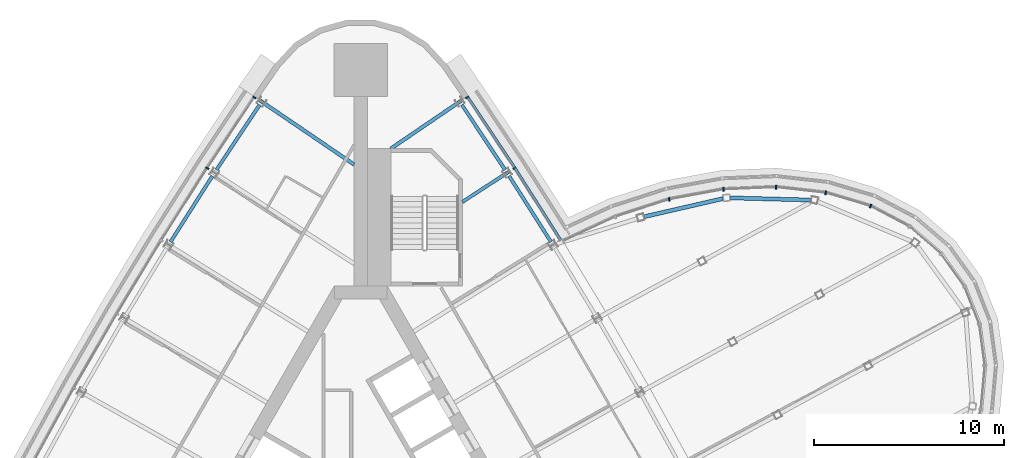
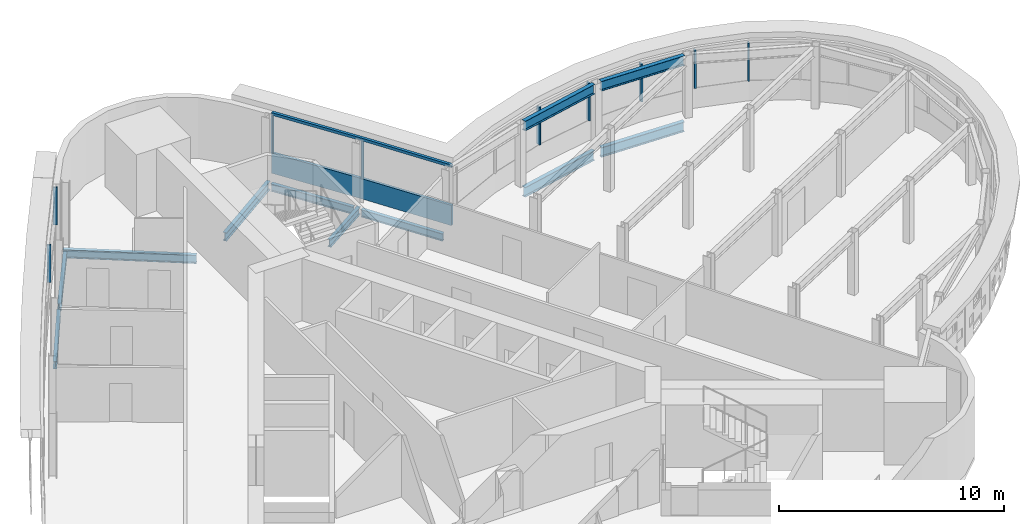
# One storey, part 8 of 15: 11 beams, 11 members, 3 elements without a shape of their own.
"""IFC4 building model written with IfcOpenShell, lengths in metres."""

from ifc_helpers import new_model, si_unit, direction, frame, origin, origin_2d, place, context, subcontext, project, spatial, polyline, rectangle, i_section, outline, extrude, material, material_profile, profile_set, type_object, element, aggregate, save


model = new_model("IFC4")

# Units and contexts
model_context = context("Model", 3, precision=1e-05, world=origin(), true_north=direction((0.0, 1.0)))
body_context = subcontext(model_context, "Body", "Model", "MODEL_VIEW")
ifc_project = project(units=[si_unit("LENGTHUNIT", "METRE"), si_unit("AREAUNIT", "SQUARE_METRE"), si_unit("VOLUMEUNIT", "CUBIC_METRE"), si_unit("PLANEANGLEUNIT", "RADIAN"), si_unit("MASSUNIT", "GRAM", prefix="KILO")], contexts=[model_context])

# Site, building, storey
site_placement = place(None, origin())
site = spatial("IfcSite", under=ifc_project, at=site_placement, CompositionType="ELEMENT")
building_placement = place(site_placement, origin())
building = spatial("IfcBuilding", under=site, at=building_placement, Name="Noor Cloister Tower", CompositionType="ELEMENT")
storey_placement = place(building_placement, frame((0.0, 0.0, 181.5)))
storey = spatial("IfcBuildingStorey", under=building, at=storey_placement, Name="L46", CompositionType="ELEMENT", Elevation=181.5)

# Curtain wall, member
ifc_material_1 = material(Name="Aluminium 6063-T6 anodised", Category="aluminium")
curtain_wall_type_1 = type_object("IfcCurtainWallType", Name="Ribbon curtain wall, upper tower CW5", PredefinedType="NOTDEFINED", material=ifc_material_1)
curtain_wall_1_placement = place(storey_placement, origin())
curtain_wall_1 = element("IfcCurtainWall", 1, at=curtain_wall_1_placement, inside=storey, type_object=curtain_wall_type_1, Name="CW5 L46 NE run 4", PredefinedType="NOTDEFINED")
ifc_material_2 = material(Name="Aluminium 6063-T6 anodised", Category="aluminium")
member_type_1 = type_object("IfcMemberType", Name="Head transom CW5 150", PredefinedType="USERDEFINED", material=ifc_material_2)
member_1_placement = place(storey_placement, frame((0.0, 0.0, 3.14990234375)))
member_1 = element("IfcMember", 2, at=member_1_placement, type_object=member_type_1, Name="CW5 head transom", ObjectType="TRANSOM", PredefinedType="USERDEFINED", context=body_context, shape_type="SweptSolid", body=[
    extrude(outline(polyline([(10.55810546875, 13.888671875), (8.145263671875, 17.68701171875), (5.65234375, 21.43310546875), (5.53564453125, 21.355712890625), (8.02783203125, 17.610595703125), (10.43994140625, 13.8134765625), (10.55810546875, 13.888671875)])), origin(), (0.0, 0.0, 1.0), 0.150146484375),
])

# Curtain wall, members
ifc_material_3 = material(Name="Aluminium 6063-T6 anodised", Category="aluminium")
curtain_wall_type_2 = type_object("IfcCurtainWallType", Name="Sky bar curtain wall, lower bars CW2", PredefinedType="NOTDEFINED", material=ifc_material_3)
curtain_wall_2_placement = place(storey_placement, origin())
curtain_wall_2 = element("IfcCurtainWall", 3, at=curtain_wall_2_placement, inside=storey, type_object=curtain_wall_type_2, Name="CW2 L46 NE sky bar run 3", PredefinedType="NOTDEFINED")
ifc_material_4 = material(Name="Aluminium 6063-T6 anodised", Category="aluminium")
ifc_material_profile_1 = material_profile(ifc_material_4, rectangle(XDim=0.199951171875, YDim=0.080078125, at=origin_2d()), Name="200 x 80 mullion")
ifc_profile_set_1 = profile_set([ifc_material_profile_1], Name="Aluminium 6063-T6 anodised")
member_type_2 = type_object("IfcMemberType", Name="Mullion CW2 80 x 200", PredefinedType="MULLION", material=ifc_profile_set_1)
member_2_placement = place(storey_placement, frame((26.764404296875, 15.64208984375, 1.10009765625), z_axis=(0.0, 0.0, 1.0), x_axis=(-0.377483553178, -0.926016288777, 0.0)))
member_2 = element("IfcMember", 4, at=member_2_placement, type_object=member_type_2, Name="CW2 mullion 13", PredefinedType="MULLION", context=body_context, shape_type="SweptSolid", body=[
    extrude(rectangle(XDim=0.199951171875, YDim=0.080078125, at=origin_2d()), origin(), (0.0, 0.0, 1.0), 2.0498046875),
])
member_3_placement = place(storey_placement, frame((24.408935546875, 16.34033203125, 1.10009765625), z_axis=(0.0, 0.0, 1.0), x_axis=(-0.199522183115, -0.979893309726, 0.0)))
member_3 = element("IfcMember", 5, at=member_3_placement, type_object=member_type_2, Name="CW2 mullion 14", PredefinedType="MULLION", context=body_context, shape_type="SweptSolid", body=[
    extrude(rectangle(XDim=0.199951171875, YDim=0.080078125, at=origin_2d()), origin(), (0.0, 0.0, 1.0), 2.0498046875),
])
member_4_placement = place(storey_placement, frame((21.80859375, 16.636962890625, 1.10009765625), z_axis=(0.0, 0.0, 1.0), x_axis=(-0.036049834228, -0.999349993472, 0.0)))
member_4 = element("IfcMember", 6, at=member_4_placement, type_object=member_type_2, Name="CW2 mullion 15", PredefinedType="MULLION", context=body_context, shape_type="SweptSolid", body=[
    extrude(rectangle(XDim=0.199951171875, YDim=0.080078125, at=origin_2d()), origin(), (0.0, 0.0, 1.0), 2.0498046875),
])
member_5_placement = place(storey_placement, frame((19.042236328125, 16.52197265625, 1.10009765625), z_axis=(0.0, 0.0, 1.0), x_axis=(0.111408070069, -0.993774744056, 0.0)))
member_5 = element("IfcMember", 7, at=member_5_placement, type_object=member_type_2, Name="CW2 mullion 16", PredefinedType="MULLION", context=body_context, shape_type="SweptSolid", body=[
    extrude(rectangle(XDim=0.199951171875, YDim=0.080078125, at=origin_2d()), origin(), (0.0, 0.0, 1.0), 2.0498046875),
])
member_6_placement = place(storey_placement, frame((16.195068359375, 15.998779296875, 1.10009765625), z_axis=(0.0, 0.0, 1.0), x_axis=(0.244410452656, -0.969671867506, 0.0)))
member_6 = element("IfcMember", 8, at=member_6_placement, type_object=member_type_2, Name="CW2 mullion 17", PredefinedType="MULLION", context=body_context, shape_type="SweptSolid", body=[
    extrude(rectangle(XDim=0.199951171875, YDim=0.080078125, at=origin_2d()), origin(), (0.0, 0.0, 1.0), 2.0498046875),
])
aggregate(curtain_wall_2, [member_2, member_3, member_4, member_5, member_6])

curtain_wall_3_placement = place(storey_placement, origin())
curtain_wall_3 = element("IfcCurtainWall", 9, at=curtain_wall_3_placement, inside=storey, type_object=curtain_wall_type_1, Name="CW5 L46 NW run 1", PredefinedType="NOTDEFINED")
ifc_material_5 = material(Name="Aluminium 6063-T6 anodised", Category="aluminium")
ifc_material_profile_2 = material_profile(ifc_material_5, rectangle(XDim=0.179931640625, YDim=0.070068359375, at=origin_2d()), Name="180 x 70 mullion")
ifc_profile_set_2 = profile_set([ifc_material_profile_2], Name="Aluminium 6063-T6 anodised")
member_type_3 = type_object("IfcMemberType", Name="Mullion CW5 70 x 180", PredefinedType="MULLION", material=ifc_profile_set_2)
member_7_placement = place(storey_placement, frame((-5.58837890625, 21.3486328125, 1.10009765625), z_axis=(0.0, 0.0, 1.0), x_axis=(0.832526508142, -0.553985210309, 0.0)))
member_7 = element("IfcMember", 10, at=member_7_placement, type_object=member_type_3, Name="CW5 mullion 1", PredefinedType="MULLION", context=body_context, shape_type="SweptSolid", body=[
    extrude(rectangle(XDim=0.179931640625, YDim=0.070068359375, at=origin_2d()), origin(), (0.0, 0.0, 1.0), 2.0498046875),
])
member_8_placement = place(storey_placement, frame((-8.061279296875, 17.63232421875, 1.10009765625), z_axis=(0.0, 0.0, 1.0), x_axis=(0.838346853928, -0.54513718687, 0.0)))
member_8 = element("IfcMember", 11, at=member_8_placement, type_object=member_type_3, Name="CW5 mullion 2", PredefinedType="MULLION", context=body_context, shape_type="SweptSolid", body=[
    extrude(rectangle(XDim=0.179931640625, YDim=0.070068359375, at=origin_2d()), origin(), (0.0, 0.0, 1.0), 2.0498046875),
])
aggregate(curtain_wall_3, [member_7, member_8])

# Member
member_9_placement = place(storey_placement, frame((8.061279296875, 17.63232421875, 1.10009765625), z_axis=(0.0, 0.0, 1.0), x_axis=(-0.838346853928, -0.54513718687, 0.0)))
member_9 = element("IfcMember", 12, at=member_9_placement, type_object=member_type_3, Name="CW5 mullion 2", PredefinedType="MULLION", context=body_context, shape_type="SweptSolid", body=[
    extrude(rectangle(XDim=0.179931640625, YDim=0.070068359375, at=origin_2d()), origin(), (0.0, 0.0, 1.0), 2.0498046875),
])

member_10_placement = place(storey_placement, frame((5.58837890625, 21.3486328125, 1.10009765625), z_axis=(0.0, 0.0, 1.0), x_axis=(-0.832526508142, -0.553985210309, 0.0)))
member_10 = element("IfcMember", 13, at=member_10_placement, type_object=member_type_3, Name="CW5 mullion 3", PredefinedType="MULLION", context=body_context, shape_type="SweptSolid", body=[
    extrude(rectangle(XDim=0.179931640625, YDim=0.070068359375, at=origin_2d()), origin(), (0.0, 0.0, 1.0), 2.0498046875),
])

# Beams
ifc_material_6 = material(Name="Steel ASTM A992 Gr 50", Category="steel")
ifc_material_profile_3 = material_profile(ifc_material_6, i_section(OverallWidth=0.208984375, OverallDepth=0.532958984375, WebThickness=0.01025390625, FlangeThickness=0.015625, FilletRadius=0.0126953125, at=origin_2d()), Name="W530x92")
ifc_profile_set_3 = profile_set([ifc_material_profile_3], Name="Steel ASTM A992 Gr 50")
beam_type_1 = type_object("IfcBeamType", Name="Pod floor beam W530x92", PredefinedType="BEAM", material=ifc_profile_set_3)
beam_1_placement = place(storey_placement, frame((23.6162109375, 15.9599609375, -0.466552734375), z_axis=(-0.999639850526, 0.026835969142, 0.0), x_axis=(-0.026835969142, -0.999639850526, 0.0)))
element("IfcBeam", 14, at=beam_1_placement, inside=storey, type_object=beam_type_1, Name="Pod floor beam 3 L46 ring 8", PredefinedType="BEAM", context=body_context, shape_type="SweptSolid", body=[
    extrude(i_section(OverallWidth=0.208984375, OverallDepth=0.532958984375, WebThickness=0.01025390625, FlangeThickness=0.015625, FilletRadius=0.0126953125, at=origin_2d()), origin(), (0.0, 0.0, 1.0), 4.22119140625),
])
beam_2_placement = place(storey_placement, frame((19.01611328125, 16.03515625, -0.466552734375), z_axis=(-0.974608794523, -0.223914487337, 0.0), x_axis=(0.223914487337, -0.974608794523, 0.0)))
element("IfcBeam", 15, at=beam_2_placement, inside=storey, type_object=beam_type_1, Name="Pod floor beam 3 L46 ring 9", PredefinedType="BEAM", context=body_context, shape_type="SweptSolid", body=[
    extrude(i_section(OverallWidth=0.208984375, OverallDepth=0.532958984375, WebThickness=0.01025390625, FlangeThickness=0.015625, FilletRadius=0.0126953125, at=origin_2d()), origin(), (0.0, 0.0, 1.0), 4.245849609375),
])
beam_3_placement = place(storey_placement, frame((23.6162109375, 15.9599609375, 3.133544921875), z_axis=(-0.999639850526, 0.026835969142, 0.0), x_axis=(-0.026835969142, -0.999639850526, 0.0)))
element("IfcBeam", 16, at=beam_3_placement, inside=storey, type_object=beam_type_1, Name="Pod floor beam 3 L47 ring 8", PredefinedType="BEAM", context=body_context, shape_type="SweptSolid", body=[
    extrude(i_section(OverallWidth=0.208984375, OverallDepth=0.532958984375, WebThickness=0.01025390625, FlangeThickness=0.015625, FilletRadius=0.0126953125, at=origin_2d()), origin(), (0.0, 0.0, 1.0), 4.22119140625),
])
beam_4_placement = place(storey_placement, frame((19.01611328125, 16.03515625, 3.133544921875), z_axis=(-0.974608794523, -0.223914487337, 0.0), x_axis=(0.223914487337, -0.974608794523, 0.0)))
element("IfcBeam", 17, at=beam_4_placement, inside=storey, type_object=beam_type_1, Name="Pod floor beam 3 L47 ring 9", PredefinedType="BEAM", context=body_context, shape_type="SweptSolid", body=[
    extrude(i_section(OverallWidth=0.208984375, OverallDepth=0.532958984375, WebThickness=0.01025390625, FlangeThickness=0.015625, FilletRadius=0.0126953125, at=origin_2d()), origin(), (0.0, 0.0, 1.0), 4.245849609375),
])
ifc_material_7 = material(Name="Steel ASTM A992 Gr 50", Category="steel")
ifc_material_profile_4 = material_profile(ifc_material_7, i_section(OverallWidth=0.177978515625, OverallDepth=0.406005859375, WebThickness=0.0078125, FlangeThickness=0.0126953125, FilletRadius=0.01025390625, at=origin_2d()), Name="W410x60")
ifc_profile_set_4 = profile_set([ifc_material_profile_4], Name="Steel ASTM A992 Gr 50")
beam_type_2 = type_object("IfcBeamType", Name="Radial beam W410x60", PredefinedType="BEAM", material=ifc_profile_set_4)
beam_5_placement = place(storey_placement, frame((7.778076171875, 17.4482421875, -0.403076171875), z_axis=(-0.838351702395, -0.545129730516, 0.0), x_axis=(0.545129730516, -0.838351702395, 0.0)))
element("IfcBeam", 18, at=beam_5_placement, inside=storey, type_object=beam_type_2, Name="Radial beam NE 07 L46", PredefinedType="BEAM", context=body_context, shape_type="SweptSolid", body=[
    extrude(i_section(OverallWidth=0.177978515625, OverallDepth=0.406005859375, WebThickness=0.0078125, FlangeThickness=0.0126953125, FilletRadius=0.01025390625, at=origin_2d()), origin(), (0.0, 0.0, 1.0), 2.913330078125),
])
ifc_material_8 = material(Name="Steel ASTM A992 Gr 50", Category="steel")
ifc_material_profile_5 = material_profile(ifc_material_8, i_section(OverallWidth=0.19091796875, OverallDepth=0.45703125, WebThickness=0.009033203125, FlangeThickness=0.014404296875, FilletRadius=0.01025390625, at=origin_2d()), Name="W460x74")
ifc_profile_set_5 = profile_set([ifc_material_profile_5], Name="Steel ASTM A992 Gr 50")
beam_type_3 = type_object("IfcBeamType", Name="Radial beam W460x74", PredefinedType="BEAM", material=ifc_profile_set_5)
beam_6_placement = place(storey_placement, frame((-5.290283203125, 21.186767578125, -0.428466796875), z_axis=(0.826599651919, -0.562790383222, 0.0), x_axis=(0.562790383222, 0.826599651919, 0.0)))
element("IfcBeam", 19, at=beam_6_placement, inside=storey, type_object=beam_type_3, Name="Radial beam NW 01 L46", PredefinedType="BEAM", context=body_context, shape_type="SweptSolid", body=[
    extrude(i_section(OverallWidth=0.19091796875, OverallDepth=0.45703125, WebThickness=0.009033203125, FlangeThickness=0.014404296875, FilletRadius=0.01025390625, at=origin_2d()), origin(), (0.0, 0.0, 1.0), 5.9765625),
])
beam_7_placement = place(storey_placement, frame((5.290283203125, 21.186767578125, -0.428466796875), z_axis=(-0.826614296201, -0.562768873798, 0.0), x_axis=(0.562768873798, -0.826614296201, 0.0)))
element("IfcBeam", 20, at=beam_7_placement, inside=storey, type_object=beam_type_3, Name="Radial beam NE 08 L46", PredefinedType="BEAM", context=body_context, shape_type="SweptSolid", body=[
    extrude(i_section(OverallWidth=0.19091796875, OverallDepth=0.45703125, WebThickness=0.009033203125, FlangeThickness=0.014404296875, FilletRadius=0.01025390625, at=origin_2d()), origin(), (0.0, 0.0, 1.0), 4.49609375),
])

# Member
ifc_material_9 = material(Name="Aluminium 6063-T6 anodised", Category="aluminium")
member_type_4 = type_object("IfcMemberType", Name="Sill transom CW5 1100", PredefinedType="USERDEFINED", material=ifc_material_9)
member_11_placement = place(storey_placement, origin())
member_11 = element("IfcMember", 21, at=member_11_placement, type_object=member_type_4, Name="CW5 sill transom", ObjectType="TRANSOM", PredefinedType="USERDEFINED", context=body_context, shape_type="SweptSolid", body=[
    extrude(outline(polyline([(10.55810546875, 13.888671875), (8.145263671875, 17.68701171875), (5.65234375, 21.43310546875), (5.53564453125, 21.355712890625), (8.02783203125, 17.610595703125), (10.43994140625, 13.8134765625), (10.55810546875, 13.888671875)])), origin(), (0.0, 0.0, 1.0), 1.10009765625),
])

aggregate(curtain_wall_1, [member_9, member_10, member_11, member_1])

# Beams
ifc_material_10 = material(Name="Steel ASTM A992 Gr 50", Category="steel")
ifc_material_profile_6 = material_profile(ifc_material_10, i_section(OverallWidth=0.177978515625, OverallDepth=0.406005859375, WebThickness=0.0078125, FlangeThickness=0.0126953125, FilletRadius=0.01025390625, at=origin_2d()), Name="W410x60")
ifc_profile_set_6 = profile_set([ifc_material_profile_6], Name="Steel ASTM A992 Gr 50")
beam_type_4 = type_object("IfcBeamType", Name="Spandrel beam W410x60", PredefinedType="SPANDREL", material=ifc_profile_set_6)
for number, where, z_axis, x_axis, name in (
    (22, (-5.306884765625, 20.959716796875, -0.403076171875), (-0.553956901261, -0.832545345038, 0.0), (0.832545345038, -0.553956901261, 0.0), "Spandrel beam NW 01 L46"),
    (23, (-7.789794921875, 17.220703125, -0.403076171875), (-0.536207800432, -0.844086011468, 0.0), (0.844086011468, -0.536207800432, 0.0), "Spandrel beam NW 02 L46"),
    (24, (9.985107421875, 13.764892578125, -0.403076171875), (-0.536207800432, 0.844086011468, 0.0), (-0.844086011468, -0.536207800432, 0.0), "Spandrel beam NE 06 L46"),
    (25, (7.574951171875, 17.551025390625, -0.403076171875), (-0.553956901261, 0.832545345038, 0.0), (-0.832545345038, -0.553956901261, 0.0), "Spandrel beam NE 07 L46"),
):
    element("IfcBeam", number, at=place(storey_placement, frame(where, z_axis=z_axis, x_axis=x_axis)), inside=storey, type_object=beam_type_4, Name=name, PredefinedType="SPANDREL", context=body_context, shape_type="SweptSolid", body=[
        extrude(i_section(OverallWidth=0.177978515625, OverallDepth=0.406005859375, WebThickness=0.0078125, FlangeThickness=0.0126953125, FilletRadius=0.01025390625, at=origin_2d()), origin(), (0.0, 0.0, 1.0), 4.09423828125),
    ])

save(model, "model.ifc")
